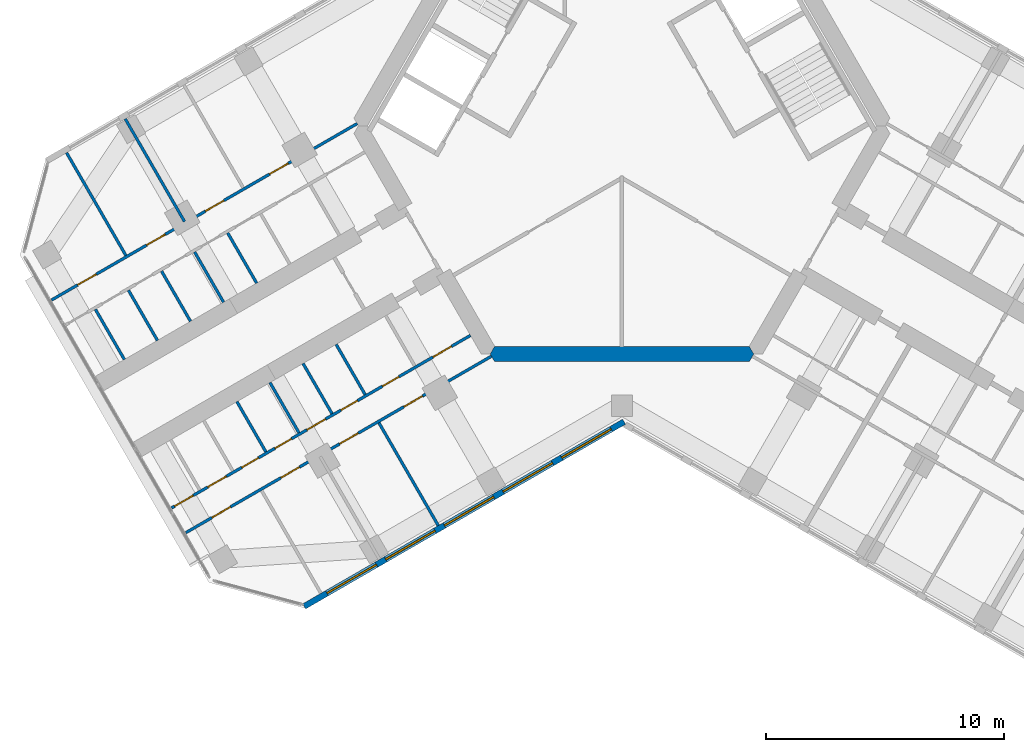
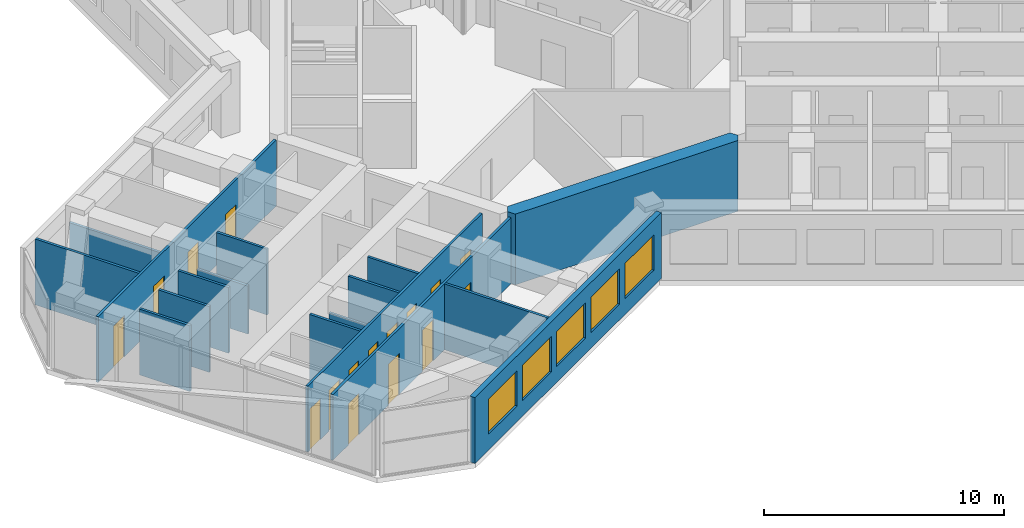
# One storey, part 8 of 16: 17 walls, 16 doors, 5 windows, 21 openings.
"""IFC4 building model written with IfcOpenShell, lengths in metres."""

from ifc_helpers import new_model, si_unit, direction, frame, frame_2d, origin, place, context, subcontext, project, spatial, polyline, rectangle, outline, extrude, material, layer, layer_set, type_object, element, fill, save


model = new_model("IFC4")

# Units and contexts
model_context = context("Model", 3, precision=1e-05, world=origin(), true_north=direction((0.0, 1.0)))
body_context = subcontext(model_context, "Body", "Model", "MODEL_VIEW")
ifc_project = project(units=[si_unit("LENGTHUNIT", "METRE"), si_unit("AREAUNIT", "SQUARE_METRE"), si_unit("VOLUMEUNIT", "CUBIC_METRE"), si_unit("PLANEANGLEUNIT", "RADIAN"), si_unit("MASSUNIT", "GRAM", prefix="KILO")], contexts=[model_context])

# Site, building, storey
site_placement = place(None, origin())
site = spatial("IfcSite", under=ifc_project, at=site_placement, CompositionType="ELEMENT")
building_placement = place(site_placement, origin())
building = spatial("IfcBuilding", under=site, at=building_placement, Name="Kosmar Iwan School Tower", CompositionType="ELEMENT")
storey_placement = place(building_placement, frame((0.0, 0.0, 222.60009765625)))
storey = spatial("IfcBuildingStorey", under=building, at=storey_placement, Name="L56", CompositionType="ELEMENT", Elevation=222.60009765625)

# Wall
ifc_material_1 = material(Name="Concrete C50/60", Category="concrete")
ifc_layer_1 = layer(ifc_material_1, 0.64990234375)
ifc_layer_set_1 = layer_set([ifc_layer_1], Name="Core wall 650")
wall_type_1 = type_object("IfcWallType", Name="Core wall 650", PredefinedType="SHEAR", material=ifc_layer_set_1)
wall_1_placement = place(storey_placement, origin())
element("IfcWall", 1, at=wall_1_placement, inside=storey, type_object=wall_type_1, Name="Core wall F270", PredefinedType="SHEAR", context=body_context, shape_type="SweptSolid", body=[
    extrude(outline(polyline([(-5.35498046875, -9.925048828125), (5.35498046875, -9.925048828125), (5.54248046875, -9.60009765625), (5.35498046875, -9.27490234375), (-5.35498046875, -9.27490234375), (-5.54248046875, -9.60009765625), (-5.35498046875, -9.925048828125)])), origin(), (0.0, 0.0, 1.0), 3.599853515625),
])

# Wall, openings, doors
ifc_material_2 = material(Name="Gypsum board on steel studs", Category="steel")
ifc_layer_2 = layer(ifc_material_2, 0.1201171875)
ifc_layer_set_2 = layer_set([ifc_layer_2], Name="Dwelling partition 120")
wall_type_2 = type_object("IfcWallType", Name="Dwelling partition 120", PredefinedType="PARTITIONING", material=ifc_layer_set_2)
wall_2_placement = place(storey_placement, frame((-6.370361328125, -8.81640625, 0.0), z_axis=(0.0, 0.0, 1.0), x_axis=(-0.866025425371, -0.499999962611, 0.0)))
wall_2 = element("IfcWall", 2, at=wall_2_placement, inside=storey, type_object=wall_type_2, Name="Partition L56-BL1-W1", PredefinedType="PARTITIONING", context=body_context, shape_type="SweptSolid", body=[
    extrude(rectangle(XDim=14.52001953125, YDim=0.1201171875, at=frame_2d((7.260009765625, 0.0))), origin(), (0.0, 0.0, 1.0), 3.349853515625),
])
opening_1_placement = place(wall_2_placement, frame((0.925048828125, 0.0, 0.0)))
opening_1 = element("IfcOpeningElement", 3, at=opening_1_placement, cuts=wall_2, Name="Opening D2", PredefinedType="OPENING", context=body_context, shape_type="SweptSolid", body=[
    extrude(rectangle(XDim=0.89990234375, YDim=2.10009765625, at=frame_2d((0.449951171875, 1.050048828125))), frame((0.0, 0.072021484375, 0.0), z_axis=(0.0, -1.0, 0.0), x_axis=(1.0, 0.0, 0.0)), (0.0, 0.0, 1.0), 0.14404296875),
])
opening_2_placement = place(wall_2_placement, frame((3.47998046875, 0.0, 0.0)))
opening_2 = element("IfcOpeningElement", 4, at=opening_2_placement, cuts=wall_2, Name="Opening D3", PredefinedType="OPENING", context=body_context, shape_type="SweptSolid", body=[
    extrude(rectangle(XDim=0.800048828125, YDim=2.10009765625, at=frame_2d((0.39990234375, 1.050048828125))), frame((0.0, 0.072021484375, 0.0), z_axis=(0.0, -1.0, 0.0), x_axis=(1.0, 0.0, 0.0)), (0.0, 0.0, 1.0), 0.14404296875),
])
opening_3_placement = place(wall_2_placement, frame((5.48828125, 0.0, 0.0)))
opening_3 = element("IfcOpeningElement", 5, at=opening_3_placement, cuts=wall_2, Name="Opening D3", PredefinedType="OPENING", context=body_context, shape_type="SweptSolid", body=[
    extrude(rectangle(XDim=0.800048828125, YDim=2.10009765625, at=frame_2d((0.39990234375, 1.050048828125))), frame((0.0, 0.072021484375, 0.0), z_axis=(0.0, -1.0, 0.0), x_axis=(1.0, 0.0, 0.0)), (0.0, 0.0, 1.0), 0.14404296875),
])
opening_4_placement = place(wall_2_placement, frame((7.044921875, 0.0, 0.0)))
opening_4 = element("IfcOpeningElement", 6, at=opening_4_placement, cuts=wall_2, Name="Opening D2", PredefinedType="OPENING", context=body_context, shape_type="SweptSolid", body=[
    extrude(rectangle(XDim=0.89990234375, YDim=2.10009765625, at=frame_2d((0.449951171875, 1.050048828125))), frame((0.0, 0.072021484375, 0.0), z_axis=(0.0, -1.0, 0.0), x_axis=(1.0, 0.0, 0.0)), (0.0, 0.0, 1.0), 0.14404296875),
])
opening_5_placement = place(wall_2_placement, frame((8.70166015625, 0.0, 0.0)))
opening_5 = element("IfcOpeningElement", 7, at=opening_5_placement, cuts=wall_2, Name="Opening D3", PredefinedType="OPENING", context=body_context, shape_type="SweptSolid", body=[
    extrude(rectangle(XDim=0.800048828125, YDim=2.10009765625, at=frame_2d((0.39990234375, 1.050048828125))), frame((0.0, 0.072021484375, 0.0), z_axis=(0.0, -1.0, 0.0), x_axis=(1.0, 0.0, 0.0)), (0.0, 0.0, 1.0), 0.14404296875),
])
opening_6_placement = place(wall_2_placement, frame((10.308349609375, 0.0, 0.0)))
opening_6 = element("IfcOpeningElement", 8, at=opening_6_placement, cuts=wall_2, Name="Opening D3", PredefinedType="OPENING", context=body_context, shape_type="SweptSolid", body=[
    extrude(rectangle(XDim=0.800048828125, YDim=2.10009765625, at=frame_2d((0.39990234375, 1.050048828125))), frame((0.0, 0.072021484375, 0.0), z_axis=(0.0, -1.0, 0.0), x_axis=(1.0, 0.0, 0.0)), (0.0, 0.0, 1.0), 0.14404296875),
])
opening_7_placement = place(wall_2_placement, frame((11.864990234375, 0.0, 0.0)))
opening_7 = element("IfcOpeningElement", 9, at=opening_7_placement, cuts=wall_2, Name="Opening D2", PredefinedType="OPENING", context=body_context, shape_type="SweptSolid", body=[
    extrude(rectangle(XDim=0.89990234375, YDim=2.10009765625, at=frame_2d((0.449951171875, 1.050048828125))), frame((0.0, 0.072021484375, 0.0), z_axis=(0.0, -1.0, 0.0), x_axis=(1.0, 0.0, 0.0)), (0.0, 0.0, 1.0), 0.14404296875),
])
opening_8_placement = place(wall_2_placement, frame((13.4716796875, 0.0, 0.0)))
opening_8 = element("IfcOpeningElement", 10, at=opening_8_placement, cuts=wall_2, Name="Opening D2", PredefinedType="OPENING", context=body_context, shape_type="SweptSolid", body=[
    extrude(rectangle(XDim=0.89990234375, YDim=2.10009765625, at=frame_2d((0.449951171875, 1.050048828125))), frame((0.0, 0.072021484375, 0.0), z_axis=(0.0, -1.0, 0.0), x_axis=(1.0, 0.0, 0.0)), (0.0, 0.0, 1.0), 0.14404296875),
])
ifc_material_3 = material(Name="Timber door in timber frame", Category="wood")
door_type_1 = type_object("IfcDoorType", Name="Internal door 900x2100", OperationType="SINGLE_SWING_LEFT", PredefinedType="DOOR", material=ifc_material_3)
door_1_placement = place(opening_1_placement, origin())
door_1 = element("IfcDoor", 11, at=door_1_placement, inside=storey, type_object=door_type_1, Name="Entrance hall door L56-BL1-S1", OperationType="SINGLE_SWING_LEFT", OverallHeight=2.10009765625, OverallWidth=0.89990234375, PredefinedType="DOOR", context=body_context, shape_type="SweptSolid", body=[
    extrude(rectangle(XDim=0.89990234375, YDim=2.10009765625, at=frame_2d((0.449951171875, 1.050048828125))), frame((0.0, 0.02490234375, 0.0), z_axis=(0.0, -1.0, 0.0), x_axis=(1.0, 0.0, 0.0)), (0.0, 0.0, 1.0), 0.050048828125),
])
fill(opening_1, door_1)
door_2_placement = place(opening_4_placement, origin())
door_2 = element("IfcDoor", 12, at=door_2_placement, inside=storey, type_object=door_type_1, Name="Pantry door L56-BL1-S4", OperationType="SINGLE_SWING_LEFT", OverallHeight=2.10009765625, OverallWidth=0.89990234375, PredefinedType="DOOR", context=body_context, shape_type="SweptSolid", body=[
    extrude(rectangle(XDim=0.89990234375, YDim=2.10009765625, at=frame_2d((0.449951171875, 1.050048828125))), frame((0.0, 0.02490234375, 0.0), z_axis=(0.0, -1.0, 0.0), x_axis=(1.0, 0.0, 0.0)), (0.0, 0.0, 1.0), 0.050048828125),
])
fill(opening_4, door_2)
door_3_placement = place(opening_7_placement, origin())
door_3 = element("IfcDoor", 13, at=door_3_placement, inside=storey, type_object=door_type_1, Name="Utility room door L56-BL1-S7", OperationType="SINGLE_SWING_RIGHT", OverallHeight=2.10009765625, OverallWidth=0.89990234375, PredefinedType="DOOR", context=body_context, shape_type="SweptSolid", body=[
    extrude(rectangle(XDim=0.89990234375, YDim=2.10009765625, at=frame_2d((0.449951171875, 1.050048828125))), frame((0.0, 0.02490234375, 0.0), z_axis=(0.0, -1.0, 0.0), x_axis=(1.0, 0.0, 0.0)), (0.0, 0.0, 1.0), 0.050048828125),
])
fill(opening_7, door_3)
door_4_placement = place(opening_8_placement, origin())
door_4 = element("IfcDoor", 14, at=door_4_placement, inside=storey, type_object=door_type_1, Name="Dressing room door L56-BL1-S8", OperationType="SINGLE_SWING_RIGHT", OverallHeight=2.10009765625, OverallWidth=0.89990234375, PredefinedType="DOOR", context=body_context, shape_type="SweptSolid", body=[
    extrude(rectangle(XDim=0.89990234375, YDim=2.10009765625, at=frame_2d((0.449951171875, 1.050048828125))), frame((0.0, 0.02490234375, 0.0), z_axis=(0.0, -1.0, 0.0), x_axis=(1.0, 0.0, 0.0)), (0.0, 0.0, 1.0), 0.050048828125),
])
fill(opening_8, door_4)
ifc_material_4 = material(Name="Timber door in timber frame", Category="wood")
door_type_2 = type_object("IfcDoorType", Name="Sanitary room door 800x2100", OperationType="SINGLE_SWING_LEFT", PredefinedType="DOOR", material=ifc_material_4)
door_5_placement = place(opening_2_placement, origin())
door_5 = element("IfcDoor", 15, at=door_5_placement, inside=storey, type_object=door_type_2, Name="Bathroom door L56-BL1-S2", OperationType="SINGLE_SWING_LEFT", OverallHeight=2.10009765625, OverallWidth=0.800048828125, PredefinedType="DOOR", context=body_context, shape_type="SweptSolid", body=[
    extrude(rectangle(XDim=0.800048828125, YDim=2.10009765625, at=frame_2d((0.39990234375, 1.050048828125))), frame((0.0, 0.02490234375, 0.0), z_axis=(0.0, -1.0, 0.0), x_axis=(1.0, 0.0, 0.0)), (0.0, 0.0, 1.0), 0.050048828125),
])
fill(opening_2, door_5)
door_6_placement = place(opening_3_placement, origin())
door_6 = element("IfcDoor", 16, at=door_6_placement, inside=storey, type_object=door_type_2, Name="Shower room door L56-BL1-S3", OperationType="SINGLE_SWING_LEFT", OverallHeight=2.10009765625, OverallWidth=0.800048828125, PredefinedType="DOOR", context=body_context, shape_type="SweptSolid", body=[
    extrude(rectangle(XDim=0.800048828125, YDim=2.10009765625, at=frame_2d((0.39990234375, 1.050048828125))), frame((0.0, 0.02490234375, 0.0), z_axis=(0.0, -1.0, 0.0), x_axis=(1.0, 0.0, 0.0)), (0.0, 0.0, 1.0), 0.050048828125),
])
fill(opening_3, door_6)
door_7_placement = place(opening_5_placement, origin())
door_7 = element("IfcDoor", 17, at=door_7_placement, inside=storey, type_object=door_type_2, Name="WC door L56-BL1-S5", OperationType="SINGLE_SWING_RIGHT", OverallHeight=2.10009765625, OverallWidth=0.800048828125, PredefinedType="DOOR", context=body_context, shape_type="SweptSolid", body=[
    extrude(rectangle(XDim=0.800048828125, YDim=2.10009765625, at=frame_2d((0.39990234375, 1.050048828125))), frame((0.0, 0.02490234375, 0.0), z_axis=(0.0, -1.0, 0.0), x_axis=(1.0, 0.0, 0.0)), (0.0, 0.0, 1.0), 0.050048828125),
])
fill(opening_5, door_7)
door_8_placement = place(opening_6_placement, origin())
door_8 = element("IfcDoor", 18, at=door_8_placement, inside=storey, type_object=door_type_2, Name="Store door L56-BL1-S6", OperationType="SINGLE_SWING_RIGHT", OverallHeight=2.10009765625, OverallWidth=0.800048828125, PredefinedType="DOOR", context=body_context, shape_type="SweptSolid", body=[
    extrude(rectangle(XDim=0.800048828125, YDim=2.10009765625, at=frame_2d((0.39990234375, 1.050048828125))), frame((0.0, 0.02490234375, 0.0), z_axis=(0.0, -1.0, 0.0), x_axis=(1.0, 0.0, 0.0)), (0.0, 0.0, 1.0), 0.050048828125),
])
fill(opening_6, door_8)

wall_3_placement = place(storey_placement, frame((-5.48876953125, -9.693115234375, 0.0), z_axis=(0.0, 0.0, 1.0), x_axis=(-0.866030301974, -0.499991515992, 0.0)))
wall_3 = element("IfcWall", 19, at=wall_3_placement, inside=storey, type_object=wall_type_2, Name="Partition L56-BL1-W2", PredefinedType="PARTITIONING", context=body_context, shape_type="SweptSolid", body=[
    extrude(rectangle(XDim=14.844970703125, YDim=0.1201171875, at=frame_2d((7.42236328125, 0.0))), origin(), (0.0, 0.0, 1.0), 3.349853515625),
])
opening_9_placement = place(wall_3_placement, frame((3.35009765625, 0.0, 0.0)))
opening_9 = element("IfcOpeningElement", 20, at=opening_9_placement, cuts=wall_3, Name="Opening D2", PredefinedType="OPENING", context=body_context, shape_type="SweptSolid", body=[
    extrude(rectangle(XDim=0.89990234375, YDim=2.10009765625, at=frame_2d((0.449951171875, 1.050048828125))), frame((0.0, 0.072021484375, 0.0), z_axis=(0.0, -1.0, 0.0), x_axis=(1.0, 0.0, 0.0)), (0.0, 0.0, 1.0), 0.14404296875),
])
opening_10_placement = place(wall_3_placement, frame((6.47509765625, 0.0, 0.0)))
opening_10 = element("IfcOpeningElement", 21, at=opening_10_placement, cuts=wall_3, Name="Opening D2", PredefinedType="OPENING", context=body_context, shape_type="SweptSolid", body=[
    extrude(rectangle(XDim=0.89990234375, YDim=2.10009765625, at=frame_2d((0.449951171875, 1.050048828125))), frame((0.0, 0.072021484375, 0.0), z_axis=(0.0, -1.0, 0.0), x_axis=(1.0, 0.0, 0.0)), (0.0, 0.0, 1.0), 0.14404296875),
])
opening_11_placement = place(wall_3_placement, frame((9.324951171875, 0.0, 0.0)))
opening_11 = element("IfcOpeningElement", 22, at=opening_11_placement, cuts=wall_3, Name="Opening D2", PredefinedType="OPENING", context=body_context, shape_type="SweptSolid", body=[
    extrude(rectangle(XDim=0.89990234375, YDim=2.10009765625, at=frame_2d((0.449951171875, 1.050048828125))), frame((0.0, 0.072021484375, 0.0), z_axis=(0.0, -1.0, 0.0), x_axis=(1.0, 0.0, 0.0)), (0.0, 0.0, 1.0), 0.14404296875),
])
opening_12_placement = place(wall_3_placement, frame((12.675048828125, 0.0, 0.0)))
opening_12 = element("IfcOpeningElement", 23, at=opening_12_placement, cuts=wall_3, Name="Opening D2", PredefinedType="OPENING", context=body_context, shape_type="SweptSolid", body=[
    extrude(rectangle(XDim=0.89990234375, YDim=2.10009765625, at=frame_2d((0.449951171875, 1.050048828125))), frame((0.0, 0.072021484375, 0.0), z_axis=(0.0, -1.0, 0.0), x_axis=(1.0, 0.0, 0.0)), (0.0, 0.0, 1.0), 0.14404296875),
])
door_9_placement = place(opening_9_placement, origin())
door_9 = element("IfcDoor", 24, at=door_9_placement, inside=storey, type_object=door_type_1, Name="Living room and kitchen door L56-BL1-F1", OperationType="SINGLE_SWING_RIGHT", OverallHeight=2.10009765625, OverallWidth=0.89990234375, PredefinedType="DOOR", context=body_context, shape_type="SweptSolid", body=[
    extrude(rectangle(XDim=0.89990234375, YDim=2.10009765625, at=frame_2d((0.449951171875, 1.050048828125))), frame((0.0, 0.02490234375, 0.0), z_axis=(0.0, -1.0, 0.0), x_axis=(1.0, 0.0, 0.0)), (0.0, 0.0, 1.0), 0.050048828125),
])
fill(opening_9, door_9)
door_10_placement = place(opening_10_placement, origin())
door_10 = element("IfcDoor", 25, at=door_10_placement, inside=storey, type_object=door_type_1, Name="Bedroom 1 door L56-BL1-F2", OperationType="SINGLE_SWING_RIGHT", OverallHeight=2.10009765625, OverallWidth=0.89990234375, PredefinedType="DOOR", context=body_context, shape_type="SweptSolid", body=[
    extrude(rectangle(XDim=0.89990234375, YDim=2.10009765625, at=frame_2d((0.449951171875, 1.050048828125))), frame((0.0, 0.02490234375, 0.0), z_axis=(0.0, -1.0, 0.0), x_axis=(1.0, 0.0, 0.0)), (0.0, 0.0, 1.0), 0.050048828125),
])
fill(opening_10, door_10)
door_11_placement = place(opening_11_placement, origin())
door_11 = element("IfcDoor", 26, at=door_11_placement, inside=storey, type_object=door_type_1, Name="Bedroom 2 door L56-BL1-F3", OperationType="SINGLE_SWING_LEFT", OverallHeight=2.10009765625, OverallWidth=0.89990234375, PredefinedType="DOOR", context=body_context, shape_type="SweptSolid", body=[
    extrude(rectangle(XDim=0.89990234375, YDim=2.10009765625, at=frame_2d((0.449951171875, 1.050048828125))), frame((0.0, 0.02490234375, 0.0), z_axis=(0.0, -1.0, 0.0), x_axis=(1.0, 0.0, 0.0)), (0.0, 0.0, 1.0), 0.050048828125),
])
fill(opening_11, door_11)
door_12_placement = place(opening_12_placement, origin())
door_12 = element("IfcDoor", 27, at=door_12_placement, inside=storey, type_object=door_type_1, Name="Bedroom 3 door L56-BL1-F4", OperationType="SINGLE_SWING_RIGHT", OverallHeight=2.10009765625, OverallWidth=0.89990234375, PredefinedType="DOOR", context=body_context, shape_type="SweptSolid", body=[
    extrude(rectangle(XDim=0.89990234375, YDim=2.10009765625, at=frame_2d((0.449951171875, 1.050048828125))), frame((0.0, 0.02490234375, 0.0), z_axis=(0.0, -1.0, 0.0), x_axis=(1.0, 0.0, 0.0)), (0.0, 0.0, 1.0), 0.050048828125),
])
fill(opening_12, door_12)

# Walls
wall_4_placement = place(storey_placement, frame((-10.221923828125, -12.4951171875, 0.0), z_axis=(0.0, 0.0, 1.0), x_axis=(0.499996339024, -0.86602751744, 0.0)))
element("IfcWall", 28, at=wall_4_placement, inside=storey, type_object=wall_type_2, Name="Partition L56-BL1-X1", PredefinedType="PARTITIONING", context=body_context, shape_type="SweptSolid", body=[
    extrude(rectangle(XDim=4.98974609375, YDim=0.1201171875, at=frame_2d((2.494873046875, 0.0))), origin(), (0.0, 0.0, 1.0), 3.349853515625),
])
for number, where, z_axis, x_axis, name in (
    (29, (-12.02392578125, -9.19384765625, 0.0), (0.0, 0.0, 1.0), (0.500002508028, -0.866023955769, 0.0), "Partition L56-BL1-Y2"),
    (30, (-13.41552734375, -9.9970703125, 0.0), (0.0, 0.0, 1.0), (0.500002508028, -0.866023955769, 0.0), "Partition L56-BL1-Y3"),
):
    element("IfcWall", number, at=place(storey_placement, frame(where, z_axis=z_axis, x_axis=x_axis)), inside=storey, type_object=wall_type_2, Name=name, PredefinedType="PARTITIONING", context=body_context, shape_type="SweptSolid", body=[
        extrude(rectangle(XDim=2.43994140625, YDim=0.1201171875, at=frame_2d((1.219970703125, 0.0))), origin(), (0.0, 0.0, 1.0), 3.349853515625),
    ])
wall_5_placement = place(storey_placement, frame((-14.806884765625, -10.80029296875, 0.0), z_axis=(0.0, 0.0, 1.0), x_axis=(0.499959183527, -0.866048967903, 0.0)))
element("IfcWall", 31, at=wall_5_placement, inside=storey, type_object=wall_type_2, Name="Partition L56-BL1-Y4", PredefinedType="PARTITIONING", context=body_context, shape_type="SweptSolid", body=[
    extrude(rectangle(XDim=2.440185546875, YDim=0.1201171875, at=frame_2d((1.22021484375, 0.0))), origin(), (0.0, 0.0, 1.0), 2.449951171875),
])
wall_6_placement = place(storey_placement, frame((-16.1982421875, -11.603759765625, 0.0), z_axis=(0.0, 0.0, 1.0), x_axis=(0.500002508028, -0.866023955769, 0.0)))
element("IfcWall", 32, at=wall_6_placement, inside=storey, type_object=wall_type_2, Name="Partition L56-BL1-Y5", PredefinedType="PARTITIONING", context=body_context, shape_type="SweptSolid", body=[
    extrude(rectangle(XDim=2.43994140625, YDim=0.1201171875, at=frame_2d((1.219970703125, 0.0))), origin(), (0.0, 0.0, 1.0), 3.349853515625),
])

# Wall, openings, doors
wall_7_placement = place(storey_placement, frame((-11.138916015625, 0.093017578125, 0.0), z_axis=(0.0, 0.0, 1.0), x_axis=(-0.866030301974, -0.499991515992, 0.0)))
wall_7 = element("IfcWall", 33, at=wall_7_placement, inside=storey, type_object=wall_type_2, Name="Partition L56-BR1-W2", PredefinedType="PARTITIONING", context=body_context, shape_type="SweptSolid", body=[
    extrude(rectangle(XDim=14.844970703125, YDim=0.1201171875, at=frame_2d((7.42236328125, 0.0))), origin(), (0.0, 0.0, 1.0), 3.349853515625),
])
opening_13_placement = place(wall_7_placement, frame((3.35009765625, 0.0, 0.0)))
opening_13 = element("IfcOpeningElement", 34, at=opening_13_placement, cuts=wall_7, Name="Opening D2", PredefinedType="OPENING", context=body_context, shape_type="SweptSolid", body=[
    extrude(rectangle(XDim=0.89990234375, YDim=2.10009765625, at=frame_2d((0.449951171875, 1.050048828125))), frame((0.0, 0.072021484375, 0.0), z_axis=(0.0, -1.0, 0.0), x_axis=(1.0, 0.0, 0.0)), (0.0, 0.0, 1.0), 0.14404296875),
])
opening_14_placement = place(wall_7_placement, frame((6.47509765625, 0.0, 0.0)))
opening_14 = element("IfcOpeningElement", 35, at=opening_14_placement, cuts=wall_7, Name="Opening D2", PredefinedType="OPENING", context=body_context, shape_type="SweptSolid", body=[
    extrude(rectangle(XDim=0.89990234375, YDim=2.10009765625, at=frame_2d((0.449951171875, 1.050048828125))), frame((0.0, 0.072021484375, 0.0), z_axis=(0.0, -1.0, 0.0), x_axis=(1.0, 0.0, 0.0)), (0.0, 0.0, 1.0), 0.14404296875),
])
opening_15_placement = place(wall_7_placement, frame((9.324951171875, 0.0, 0.0)))
opening_15 = element("IfcOpeningElement", 36, at=opening_15_placement, cuts=wall_7, Name="Opening D2", PredefinedType="OPENING", context=body_context, shape_type="SweptSolid", body=[
    extrude(rectangle(XDim=0.89990234375, YDim=2.10009765625, at=frame_2d((0.449951171875, 1.050048828125))), frame((0.0, 0.072021484375, 0.0), z_axis=(0.0, -1.0, 0.0), x_axis=(1.0, 0.0, 0.0)), (0.0, 0.0, 1.0), 0.14404296875),
])
opening_16_placement = place(wall_7_placement, frame((12.675048828125, 0.0, 0.0)))
opening_16 = element("IfcOpeningElement", 37, at=opening_16_placement, cuts=wall_7, Name="Opening D2", PredefinedType="OPENING", context=body_context, shape_type="SweptSolid", body=[
    extrude(rectangle(XDim=0.89990234375, YDim=2.10009765625, at=frame_2d((0.449951171875, 1.050048828125))), frame((0.0, 0.072021484375, 0.0), z_axis=(0.0, -1.0, 0.0), x_axis=(1.0, 0.0, 0.0)), (0.0, 0.0, 1.0), 0.14404296875),
])
door_13_placement = place(opening_13_placement, origin())
door_13 = element("IfcDoor", 38, at=door_13_placement, inside=storey, type_object=door_type_1, Name="Living room and kitchen door L56-BR1-F1", OperationType="SINGLE_SWING_LEFT", OverallHeight=2.10009765625, OverallWidth=0.89990234375, PredefinedType="DOOR", context=body_context, shape_type="SweptSolid", body=[
    extrude(rectangle(XDim=0.89990234375, YDim=2.10009765625, at=frame_2d((0.449951171875, 1.050048828125))), frame((0.0, 0.02490234375, 0.0), z_axis=(0.0, -1.0, 0.0), x_axis=(1.0, 0.0, 0.0)), (0.0, 0.0, 1.0), 0.050048828125),
])
fill(opening_13, door_13)
door_14_placement = place(opening_14_placement, origin())
door_14 = element("IfcDoor", 39, at=door_14_placement, inside=storey, type_object=door_type_1, Name="Bedroom 1 door L56-BR1-F2", OperationType="SINGLE_SWING_LEFT", OverallHeight=2.10009765625, OverallWidth=0.89990234375, PredefinedType="DOOR", context=body_context, shape_type="SweptSolid", body=[
    extrude(rectangle(XDim=0.89990234375, YDim=2.10009765625, at=frame_2d((0.449951171875, 1.050048828125))), frame((0.0, 0.02490234375, 0.0), z_axis=(0.0, -1.0, 0.0), x_axis=(1.0, 0.0, 0.0)), (0.0, 0.0, 1.0), 0.050048828125),
])
fill(opening_14, door_14)
door_15_placement = place(opening_15_placement, origin())
door_15 = element("IfcDoor", 40, at=door_15_placement, inside=storey, type_object=door_type_1, Name="Bedroom 2 door L56-BR1-F3", OperationType="SINGLE_SWING_RIGHT", OverallHeight=2.10009765625, OverallWidth=0.89990234375, PredefinedType="DOOR", context=body_context, shape_type="SweptSolid", body=[
    extrude(rectangle(XDim=0.89990234375, YDim=2.10009765625, at=frame_2d((0.449951171875, 1.050048828125))), frame((0.0, 0.02490234375, 0.0), z_axis=(0.0, -1.0, 0.0), x_axis=(1.0, 0.0, 0.0)), (0.0, 0.0, 1.0), 0.050048828125),
])
fill(opening_15, door_15)
door_16_placement = place(opening_16_placement, origin())
door_16 = element("IfcDoor", 41, at=door_16_placement, inside=storey, type_object=door_type_1, Name="Bedroom 3 door L56-BR1-F4", OperationType="SINGLE_SWING_RIGHT", OverallHeight=2.10009765625, OverallWidth=0.89990234375, PredefinedType="DOOR", context=body_context, shape_type="SweptSolid", body=[
    extrude(rectangle(XDim=0.89990234375, YDim=2.10009765625, at=frame_2d((0.449951171875, 1.050048828125))), frame((0.0, 0.02490234375, 0.0), z_axis=(0.0, -1.0, 0.0), x_axis=(1.0, 0.0, 0.0)), (0.0, 0.0, 1.0), 0.050048828125),
])
fill(opening_16, door_16)

# Walls
wall_8_placement = place(storey_placement, frame((-18.400146484375, -4.030029296875, 0.0), z_axis=(0.0, 0.0, 1.0), x_axis=(-0.500011847778, 0.866018563358, 0.0)))
element("IfcWall", 42, at=wall_8_placement, inside=storey, type_object=wall_type_2, Name="Partition L56-BR1-X2", PredefinedType="PARTITIONING", context=body_context, shape_type="SweptSolid", body=[
    extrude(rectangle(XDim=4.990234375, YDim=0.1201171875, at=frame_2d((2.4951171875, 0.0))), origin(), (0.0, 0.0, 1.0), 2.449951171875),
])
wall_9_placement = place(storey_placement, frame((-20.868408203125, -5.455078125, 0.0), z_axis=(0.0, 0.0, 1.0), x_axis=(-0.499975153383, 0.86603974851, 0.0)))
element("IfcWall", 43, at=wall_9_placement, inside=storey, type_object=wall_type_2, Name="Partition L56-BR1-X3", PredefinedType="PARTITIONING", context=body_context, shape_type="SweptSolid", body=[
    extrude(rectangle(XDim=4.989990234375, YDim=0.1201171875, at=frame_2d((2.4951171875, 0.0))), origin(), (0.0, 0.0, 1.0), 3.349853515625),
])
wall_10_placement = place(storey_placement, frame((-15.365478515625, -6.61962890625, 0.0), z_axis=(0.0, 0.0, 1.0), x_axis=(-0.500002508028, 0.866023955769, 0.0)))
element("IfcWall", 44, at=wall_10_placement, inside=storey, type_object=wall_type_2, Name="Partition L56-BR1-Y3", PredefinedType="PARTITIONING", context=body_context, shape_type="SweptSolid", body=[
    extrude(rectangle(XDim=2.43994140625, YDim=0.1201171875, at=frame_2d((1.219970703125, 0.0))), origin(), (0.0, 0.0, 1.0), 3.349853515625),
])
wall_11_placement = place(storey_placement, frame((-16.7568359375, -7.4228515625, 0.0), z_axis=(0.0, 0.0, 1.0), x_axis=(-0.500002508028, 0.866023955769, 0.0)))
element("IfcWall", 45, at=wall_11_placement, inside=storey, type_object=wall_type_2, Name="Partition L56-BR1-Y4", PredefinedType="PARTITIONING", context=body_context, shape_type="SweptSolid", body=[
    extrude(rectangle(XDim=2.43994140625, YDim=0.1201171875, at=frame_2d((1.219970703125, 0.0))), origin(), (0.0, 0.0, 1.0), 2.449951171875),
])
wall_12_placement = place(storey_placement, frame((-18.148193359375, -8.226318359375, 0.0), z_axis=(0.0, 0.0, 1.0), x_axis=(-0.500034220881, 0.866005645448, 0.0)))
element("IfcWall", 46, at=wall_12_placement, inside=storey, type_object=wall_type_2, Name="Partition L56-BR1-Y5", PredefinedType="PARTITIONING", context=body_context, shape_type="SweptSolid", body=[
    extrude(rectangle(XDim=2.440185546875, YDim=0.1201171875, at=frame_2d((1.22021484375, 0.0))), origin(), (0.0, 0.0, 1.0), 3.349853515625),
])
wall_13_placement = place(storey_placement, frame((-19.539794921875, -9.029541015625, 0.0), z_axis=(0.0, 0.0, 1.0), x_axis=(-0.500002508028, 0.866023955769, 0.0)))
element("IfcWall", 47, at=wall_13_placement, inside=storey, type_object=wall_type_2, Name="Partition L56-BR1-Y6", PredefinedType="PARTITIONING", context=body_context, shape_type="SweptSolid", body=[
    extrude(rectangle(XDim=2.43994140625, YDim=0.1201171875, at=frame_2d((1.219970703125, 0.0))), origin(), (0.0, 0.0, 1.0), 3.349853515625),
])
wall_14_placement = place(storey_placement, frame((-20.93115234375, -9.8330078125, 0.0), z_axis=(0.0, 0.0, 1.0), x_axis=(-0.499959183527, 0.866048967903, 0.0)))
element("IfcWall", 48, at=wall_14_placement, inside=storey, type_object=wall_type_2, Name="Partition L56-BR1-Y7", PredefinedType="PARTITIONING", context=body_context, shape_type="SweptSolid", body=[
    extrude(rectangle(XDim=2.440185546875, YDim=0.1201171875, at=frame_2d((1.22021484375, 0.0))), origin(), (0.0, 0.0, 1.0), 3.349853515625),
])

# Wall, openings, windows
ifc_material_5 = material(Name="Black aluminium rainscreen on insulated framing", Category="aluminium")
ifc_layer_3 = layer(ifc_material_5, 0.25)
ifc_layer_set_3 = layer_set([ifc_layer_3], Name="External wall rainscreen 250")
wall_type_3 = type_object("IfcWallType", Name="External wall rainscreen 250", PredefinedType="SOLIDWALL", material=ifc_layer_set_3)
wall_15_placement = place(storey_placement, frame((0.088134765625, -12.44873046875, 0.0), z_axis=(0.0, 0.0, 1.0), x_axis=(-0.866029894971, -0.499992220956, 0.0)))
wall_15 = element("IfcWall", 49, at=wall_15_placement, inside=storey, type_object=wall_type_3, Name="External wall BL L56", PredefinedType="SOLIDWALL", context=body_context, shape_type="SweptSolid", body=[
    extrude(rectangle(XDim=15.537353515625, YDim=0.25, at=frame_2d((7.7685546875, 0.0))), origin(), (0.0, 0.0, 1.0), 3.349853515625),
])
opening_17_placement = place(wall_15_placement, frame((0.626953125, 0.0, 0.800048828125)))
opening_17 = element("IfcOpeningElement", 50, at=opening_17_placement, cuts=wall_15, Name="Opening W5", PredefinedType="OPENING", context=body_context, shape_type="SweptSolid", body=[
    extrude(rectangle(XDim=2.39990234375, YDim=1.800048828125, at=frame_2d((1.199951171875, 0.89990234375))), frame((0.0, 0.136962890625, 0.0), z_axis=(0.0, -1.0, 0.0), x_axis=(1.0, 0.0, 0.0)), (0.0, 0.0, 1.0), 0.27392578125),
])
opening_18_placement = place(wall_15_placement, frame((3.47705078125, 0.0, 0.800048828125)))
opening_18 = element("IfcOpeningElement", 51, at=opening_18_placement, cuts=wall_15, Name="Opening W5", PredefinedType="OPENING", context=body_context, shape_type="SweptSolid", body=[
    extrude(rectangle(XDim=2.39990234375, YDim=1.800048828125, at=frame_2d((1.199951171875, 0.89990234375))), frame((0.0, 0.136962890625, 0.0), z_axis=(0.0, -1.0, 0.0), x_axis=(1.0, 0.0, 0.0)), (0.0, 0.0, 1.0), 0.27392578125),
])
opening_19_placement = place(wall_15_placement, frame((6.326904296875, 0.0, 0.800048828125)))
opening_19 = element("IfcOpeningElement", 52, at=opening_19_placement, cuts=wall_15, Name="Opening W5", PredefinedType="OPENING", context=body_context, shape_type="SweptSolid", body=[
    extrude(rectangle(XDim=2.39990234375, YDim=1.800048828125, at=frame_2d((1.199951171875, 0.89990234375))), frame((0.0, 0.136962890625, 0.0), z_axis=(0.0, -1.0, 0.0), x_axis=(1.0, 0.0, 0.0)), (0.0, 0.0, 1.0), 0.27392578125),
])
opening_20_placement = place(wall_15_placement, frame((9.177001953125, 0.0, 0.800048828125)))
opening_20 = element("IfcOpeningElement", 53, at=opening_20_placement, cuts=wall_15, Name="Opening W5", PredefinedType="OPENING", context=body_context, shape_type="SweptSolid", body=[
    extrude(rectangle(XDim=2.39990234375, YDim=1.800048828125, at=frame_2d((1.199951171875, 0.89990234375))), frame((0.0, 0.136962890625, 0.0), z_axis=(0.0, -1.0, 0.0), x_axis=(1.0, 0.0, 0.0)), (0.0, 0.0, 1.0), 0.27392578125),
])
opening_21_placement = place(wall_15_placement, frame((12.027099609375, 0.0, 0.800048828125)))
opening_21 = element("IfcOpeningElement", 54, at=opening_21_placement, cuts=wall_15, Name="Opening W5", PredefinedType="OPENING", context=body_context, shape_type="SweptSolid", body=[
    extrude(rectangle(XDim=2.39990234375, YDim=1.800048828125, at=frame_2d((1.199951171875, 0.89990234375))), frame((0.0, 0.136962890625, 0.0), z_axis=(0.0, -1.0, 0.0), x_axis=(1.0, 0.0, 0.0)), (0.0, 0.0, 1.0), 0.27392578125),
])
ifc_material_6 = material(Name="Black aluminium frame with dark triple glazing", Category="aluminium")
window_type = type_object("IfcWindowType", Name="Window 2400x1800", PartitioningType="SINGLE_PANEL", PredefinedType="WINDOW", material=ifc_material_6)
window_1_placement = place(opening_17_placement, origin())
window_1 = element("IfcWindow", 55, at=window_1_placement, inside=storey, type_object=window_type, Name="Window BL L56 -1", OverallHeight=1.800048828125, OverallWidth=2.39990234375, PartitioningType="SINGLE_PANEL", PredefinedType="WINDOW", context=body_context, shape_type="SweptSolid", body=[
    extrude(rectangle(XDim=2.39990234375, YDim=1.800048828125, at=frame_2d((1.199951171875, 0.89990234375))), frame((0.0, 0.030029296875, 0.0), z_axis=(0.0, -1.0, 0.0), x_axis=(1.0, 0.0, 0.0)), (0.0, 0.0, 1.0), 0.06005859375),
])
fill(opening_17, window_1)
window_2_placement = place(opening_18_placement, origin())
window_2 = element("IfcWindow", 56, at=window_2_placement, inside=storey, type_object=window_type, Name="Window BL L56 0", OverallHeight=1.800048828125, OverallWidth=2.39990234375, PartitioningType="SINGLE_PANEL", PredefinedType="WINDOW", context=body_context, shape_type="SweptSolid", body=[
    extrude(rectangle(XDim=2.39990234375, YDim=1.800048828125, at=frame_2d((1.199951171875, 0.89990234375))), frame((0.0, 0.030029296875, 0.0), z_axis=(0.0, -1.0, 0.0), x_axis=(1.0, 0.0, 0.0)), (0.0, 0.0, 1.0), 0.06005859375),
])
fill(opening_18, window_2)
window_3_placement = place(opening_19_placement, origin())
window_3 = element("IfcWindow", 57, at=window_3_placement, inside=storey, type_object=window_type, Name="Window BL L56 1", OverallHeight=1.800048828125, OverallWidth=2.39990234375, PartitioningType="SINGLE_PANEL", PredefinedType="WINDOW", context=body_context, shape_type="SweptSolid", body=[
    extrude(rectangle(XDim=2.39990234375, YDim=1.800048828125, at=frame_2d((1.199951171875, 0.89990234375))), frame((0.0, 0.030029296875, 0.0), z_axis=(0.0, -1.0, 0.0), x_axis=(1.0, 0.0, 0.0)), (0.0, 0.0, 1.0), 0.06005859375),
])
fill(opening_19, window_3)
window_4_placement = place(opening_20_placement, origin())
window_4 = element("IfcWindow", 58, at=window_4_placement, inside=storey, type_object=window_type, Name="Window BL L56 2", OverallHeight=1.800048828125, OverallWidth=2.39990234375, PartitioningType="SINGLE_PANEL", PredefinedType="WINDOW", context=body_context, shape_type="SweptSolid", body=[
    extrude(rectangle(XDim=2.39990234375, YDim=1.800048828125, at=frame_2d((1.199951171875, 0.89990234375))), frame((0.0, 0.030029296875, 0.0), z_axis=(0.0, -1.0, 0.0), x_axis=(1.0, 0.0, 0.0)), (0.0, 0.0, 1.0), 0.06005859375),
])
fill(opening_20, window_4)
window_5_placement = place(opening_21_placement, origin())
window_5 = element("IfcWindow", 59, at=window_5_placement, inside=storey, type_object=window_type, Name="Window BL L56 3", OverallHeight=1.800048828125, OverallWidth=2.39990234375, PartitioningType="SINGLE_PANEL", PredefinedType="WINDOW", context=body_context, shape_type="SweptSolid", body=[
    extrude(rectangle(XDim=2.39990234375, YDim=1.800048828125, at=frame_2d((1.199951171875, 0.89990234375))), frame((0.0, 0.030029296875, 0.0), z_axis=(0.0, -1.0, 0.0), x_axis=(1.0, 0.0, 0.0)), (0.0, 0.0, 1.0), 0.06005859375),
])
fill(opening_21, window_5)

save(model, "model.ifc")
